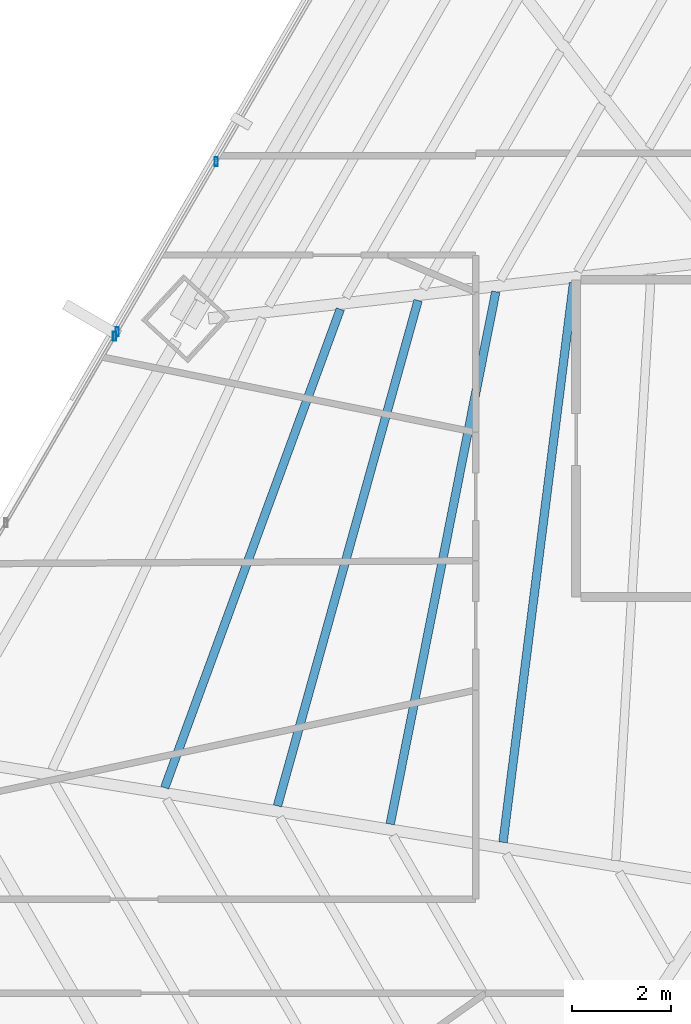
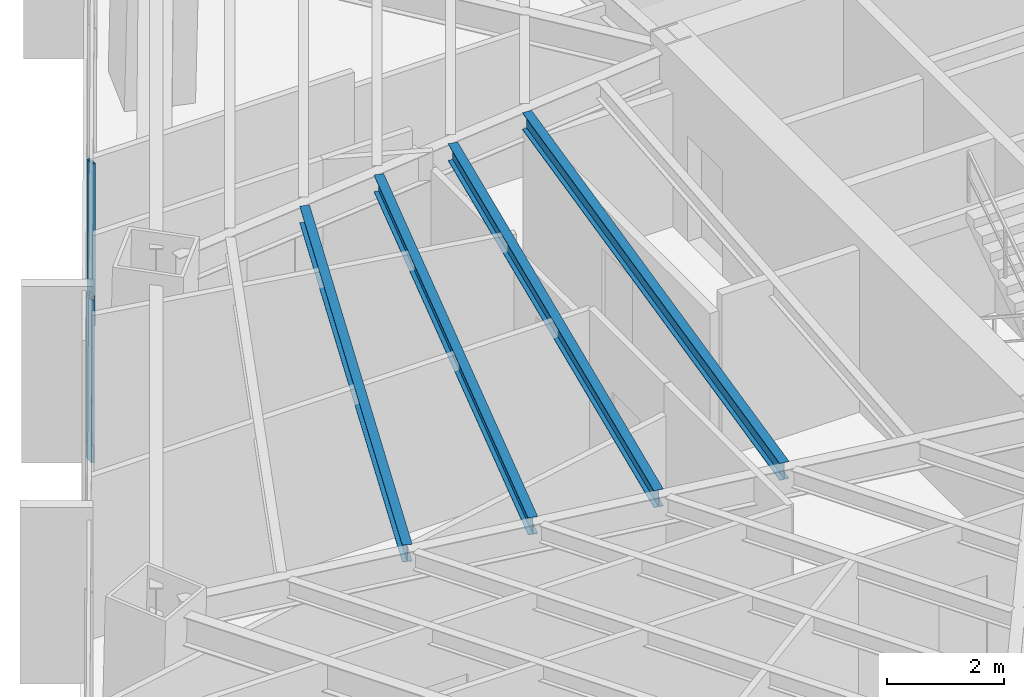
# One storey, part 12 of 38: 4 beams, 3 members, 2 elements without a shape of their own.
"""IFC4 building model written with IfcOpenShell, lengths in metres."""

from ifc_helpers import new_model, si_unit, direction, frame, origin, origin_2d, place, context, subcontext, project, spatial, hollow_rectangle, i_section, extrude, source, transform, mapped, material, material_profile, profile_set, type_object, type_shapes, element, aggregate, save


model = new_model("IFC4")

# Units and contexts
model_context = context("Model", 3, precision=1e-05, world=origin(), true_north=direction((0.0, 1.0)))
body_context = subcontext(model_context, "Body", "Model", "MODEL_VIEW")
ifc_project = project(units=[si_unit("LENGTHUNIT", "METRE"), si_unit("AREAUNIT", "SQUARE_METRE"), si_unit("VOLUMEUNIT", "CUBIC_METRE"), si_unit("PLANEANGLEUNIT", "RADIAN"), si_unit("MASSUNIT", "GRAM", prefix="KILO")], contexts=[model_context])

# Site, building, storey
site_placement = place(None, origin())
site = spatial("IfcSite", under=ifc_project, at=site_placement, CompositionType="ELEMENT")
building_placement = place(site_placement, origin())
building = spatial("IfcBuilding", under=site, at=building_placement, Name="Caelisora Broadcast Tower", CompositionType="ELEMENT")
storey_placement = place(building_placement, frame((0.0, 0.0, 67.75)))
storey = spatial("IfcBuildingStorey", under=building, at=storey_placement, Name="L17", CompositionType="ELEMENT", Elevation=67.75)

# Beams
ifc_material_1 = material(Name="Steel Grade 350 (AS/NZS 3679.1)", Category="steel")
ifc_material_profile_1 = material_profile(ifc_material_1, i_section(OverallWidth=0.172119140625, OverallDepth=0.358642578125, WebThickness=0.008056640625, FlangeThickness=0.012939453125, at=origin_2d()), Name="Steel Grade 350 (AS/NZS 3679.1)")
ifc_profile_set_1 = profile_set([ifc_material_profile_1], Name="Steel Grade 350 (AS/NZS 3679.1)")
beam_type = type_object("IfcBeamType", Name="SB02", PredefinedType="JOIST", material=ifc_profile_set_1)
shared_shape_1 = source(origin(), body_context, "Body", "SweptSolid", [
    extrude(i_section(OverallWidth=0.172119140625, OverallDepth=0.358642578125, WebThickness=0.008056640625, FlangeThickness=0.012939453125, at=origin_2d()), origin(), (0.0, 0.0, 1.0), 11.37646484375),
])
beam_1_placement = place(storey_placement, frame((27.36767578125, 29.53564453125, 3.220703125), z_axis=(-0.124961753744, -0.992161559476, 0.0), x_axis=(0.992161559476, -0.124961753744, 0.0)))
element("IfcBeam", 1, at=beam_1_placement, inside=storey, type_object=beam_type, Name="L17 beam SB02", PredefinedType="JOIST", context=body_context, shape_type="MappedRepresentation", body=[
    mapped(shared_shape_1, transform((0.0, 0.0, 0.0), scale=1.0)),
])
shared_shape_2 = source(origin(), body_context, "Body", "SweptSolid", [
    extrude(i_section(OverallWidth=0.172119140625, OverallDepth=0.358642578125, WebThickness=0.008056640625, FlangeThickness=0.012939453125, at=origin_2d()), origin(), (0.0, 0.0, 1.0), 10.952392578125),
])
beam_2_placement = place(storey_placement, frame((25.800048828125, 29.359375, 3.220703125), z_axis=(-0.194491176596, -0.980904267615, 0.0), x_axis=(0.980904267615, -0.194491176596, 0.0)))
element("IfcBeam", 2, at=beam_2_placement, inside=storey, type_object=beam_type, Name="L17 beam SB02", PredefinedType="JOIST", context=body_context, shape_type="MappedRepresentation", body=[
    mapped(shared_shape_2, transform((0.0, 0.0, 0.0), scale=1.0)),
])
shared_shape_3 = source(origin(), body_context, "Body", "SweptSolid", [
    extrude(i_section(OverallWidth=0.172119140625, OverallDepth=0.358642578125, WebThickness=0.008056640625, FlangeThickness=0.012939453125, at=origin_2d()), origin(), (0.0, 0.0, 1.0), 10.586181640625),
])
beam_3_placement = place(storey_placement, frame((24.231689453125, 29.1826171875, 3.220703125), z_axis=(-0.268031608194, -0.963410118801, 0.0), x_axis=(0.963410118801, -0.268031608194, 0.0)))
element("IfcBeam", 3, at=beam_3_placement, inside=storey, type_object=beam_type, Name="L17 beam SB02", PredefinedType="JOIST", context=body_context, shape_type="MappedRepresentation", body=[
    mapped(shared_shape_3, transform((0.0, 0.0, 0.0), scale=1.0)),
])
shared_shape_4 = source(origin(), body_context, "Body", "SweptSolid", [
    extrude(i_section(OverallWidth=0.172119140625, OverallDepth=0.358642578125, WebThickness=0.008056640625, FlangeThickness=0.012939453125, at=origin_2d()), origin(), (0.0, 0.0, 1.0), 10.28369140625),
])
type_shapes(beam_type, [shared_shape_1, shared_shape_2, shared_shape_3, shared_shape_4])
beam_4_placement = place(storey_placement, frame((22.661865234375, 29.005859375, 3.220703125), z_axis=(-0.344475070828, -0.938795465252, 0.0), x_axis=(0.938795465252, -0.344475070828, 0.0)))
element("IfcBeam", 4, at=beam_4_placement, inside=storey, type_object=beam_type, Name="L17 beam SB02", PredefinedType="JOIST", context=body_context, shape_type="MappedRepresentation", body=[
    mapped(shared_shape_4, transform((0.0, 0.0, 0.0), scale=1.0)),
])

# Curtain wall, member
ifc_material_2 = material(Name="Unitised Aluminium and Low-E Glass Curtain Wall", Category="glass")
curtain_wall_type_1 = type_object("IfcCurtainWallType", Name="CW-Z1", PredefinedType="NOTDEFINED", material=ifc_material_2)
curtain_wall_1_placement = place(storey_placement, origin())
curtain_wall_1 = element("IfcCurtainWall", 5, at=curtain_wall_1_placement, inside=storey, type_object=curtain_wall_type_1, Name="L17 curtain wall CW-Z1", PredefinedType="NOTDEFINED")
ifc_material_3 = material(Name="Aluminium 6063-T6 Anodised Terracotta Bronze", Category="aluminium")
ifc_material_profile_2 = material_profile(ifc_material_3, hollow_rectangle(XDim=0.06494140625, YDim=0.179931640625, WallThickness=0.00341796875, at=origin_2d()), Name="Aluminium 6063-T6 Anodised Terracotta Bronze")
ifc_profile_set_2 = profile_set([ifc_material_profile_2], Name="Aluminium 6063-T6 Anodised Terracotta Bronze")
member_type = type_object("IfcMemberType", Name="CWM-02", PredefinedType="MULLION", material=ifc_profile_set_2)
shared_shape_5 = source(origin(), body_context, "Body", "SweptSolid", [
    extrude(hollow_rectangle(XDim=0.06494140625, YDim=0.179931640625, WallThickness=0.00341796875, at=origin_2d()), origin(), (0.0, 0.0, 1.0), 3.39990234375),
])
type_shapes(member_type, [shared_shape_5])
member_1_placement = place(storey_placement, frame((18.10693359375, 28.4599609375, 0.0), z_axis=(0.0, 0.0, 1.0), x_axis=(1.0, 0.0, 0.0)))
member_1 = element("IfcMember", 6, at=member_1_placement, type_object=member_type, Name="L17-CW-B09 mullion #3", PredefinedType="MULLION", context=body_context, shape_type="MappedRepresentation", body=[
    mapped(shared_shape_5, transform((0.0, 0.0, 0.0), scale=1.0)),
])
aggregate(curtain_wall_1, [member_1])

# Curtain wall, members
ifc_material_4 = material(Name="Unitised Aluminium Insulated Shadow-Box Spandrel Curtain Wall", Category="aluminium")
curtain_wall_type_2 = type_object("IfcCurtainWallType", Name="CW-SP1", PredefinedType="NOTDEFINED", material=ifc_material_4)
curtain_wall_2_placement = place(storey_placement, origin())
curtain_wall_2 = element("IfcCurtainWall", 7, at=curtain_wall_2_placement, inside=storey, type_object=curtain_wall_type_2, Name="L17 curtain wall CW-SP1", PredefinedType="NOTDEFINED")
member_2_placement = place(storey_placement, frame((18.162109375, 28.554931640625, 0.0), z_axis=(0.0, 0.0, 1.0), x_axis=(1.0, 0.0, 0.0)))
member_2 = element("IfcMember", 8, at=member_2_placement, type_object=member_type, Name="L17-CW-B10 mullion #0", PredefinedType="MULLION", context=body_context, shape_type="MappedRepresentation", body=[
    mapped(shared_shape_5, transform((0.0, 0.0, 0.0), scale=1.0)),
])
member_3_placement = place(storey_placement, frame((20.157958984375, 31.985107421875, 0.0), z_axis=(0.0, 0.0, 1.0), x_axis=(1.0, 0.0, 0.0)))
member_3 = element("IfcMember", 9, at=member_3_placement, type_object=member_type, Name="L17-CW-B10 mullion #1", PredefinedType="MULLION", context=body_context, shape_type="MappedRepresentation", body=[
    mapped(shared_shape_5, transform((0.0, 0.0, 0.0), scale=1.0)),
])
aggregate(curtain_wall_2, [member_2, member_3])

save(model, "model.ifc")
